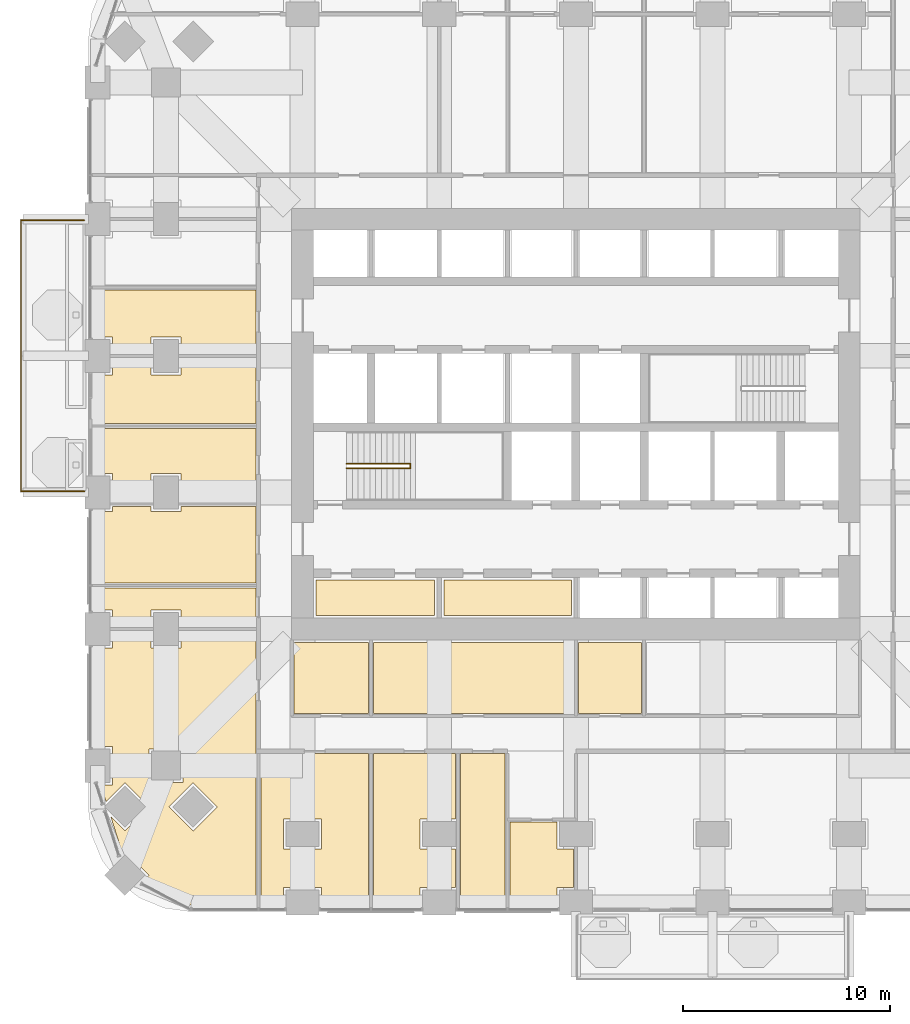
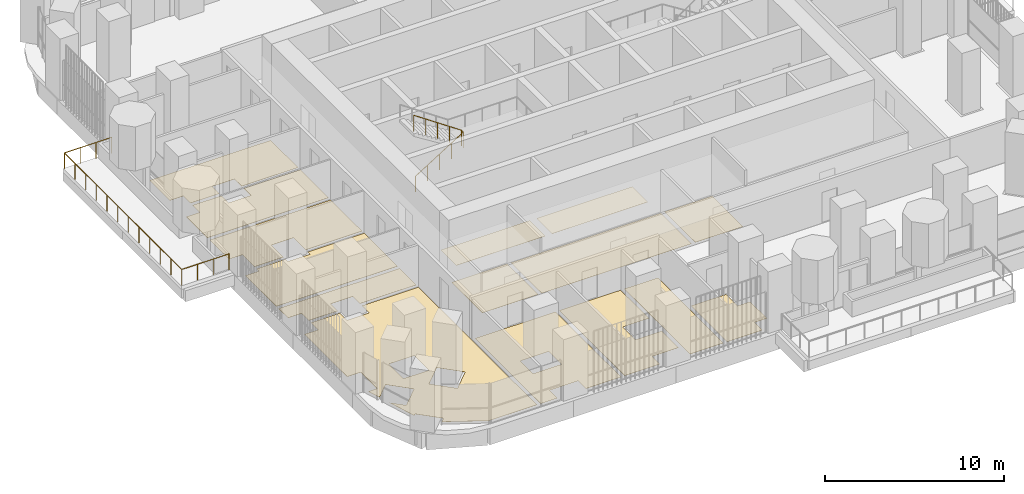
# One storey, part 17 of 21: 15 coverings, 2 railings.
"""IFC4 building model written with IfcOpenShell, lengths in metres."""

from ifc_helpers import new_model, si_unit, direction, frame, origin, place, context, subcontext, project, spatial, polyline, outline, extrude, material, layer, layer_set, type_object, element, save


model = new_model("IFC4")

# Units and contexts
model_context = context("Model", 3, precision=1e-05, world=origin(), true_north=direction((0.0, 1.0)))
body_context = subcontext(model_context, "Body", "Model", "MODEL_VIEW")
ifc_project = project(units=[si_unit("LENGTHUNIT", "METRE"), si_unit("AREAUNIT", "SQUARE_METRE"), si_unit("VOLUMEUNIT", "CUBIC_METRE"), si_unit("PLANEANGLEUNIT", "RADIAN"), si_unit("MASSUNIT", "GRAM", prefix="KILO")], contexts=[model_context])

# Site, building, storey
site_placement = place(None, origin())
site = spatial("IfcSite", under=ifc_project, at=site_placement, CompositionType="ELEMENT")
building_placement = place(site_placement, origin())
building = spatial("IfcBuilding", under=site, at=building_placement, Name="Cobogo Forest Laboratory Tower", CompositionType="ELEMENT")
storey_placement = place(building_placement, frame((0.0, 0.0, 86.39990234375)))
storey = spatial("IfcBuildingStorey", under=building, at=storey_placement, Name="L19", CompositionType="ELEMENT", Elevation=86.39990234375)

# Railing
ifc_material_1 = material(Name="Laminated glass balustrade", Category="glass")
railing_type_1 = type_object("IfcRailingType", Name="BG1 glass balustrade 1100", PredefinedType="GUARDRAIL", material=ifc_material_1)
railing_1_placement = place(storey_placement, frame((2.64990234375, 19.85009765625, 0.0)))
element("IfcRailing", 1, at=railing_1_placement, inside=storey, type_object=railing_type_1, Name="Balcony balustrade BAL-W1 L19", PredefinedType="GUARDRAIL", context=body_context, shape_type="SweptSolid", body=[
    extrude(outline(polyline([(0.022216796875, 0.00927734375), (0.00927734375, 0.022216796875), (-0.00927734375, 0.022216796875), (-0.022216796875, 0.00927734375), (-0.022216796875, -0.00927734375), (-0.00927734375, -0.022216796875), (0.00927734375, -0.022216796875), (0.022216796875, -0.00927734375), (0.022216796875, 0.00927734375)])), frame((0.0, 0.0, 1.077880859375), z_axis=(-1.0, 0.0, 0.0), x_axis=(0.0, -1.0, 0.0)), (0.0, 0.0, 1.0), 3.0498046875),
    extrude(outline(polyline([(0.022216796875, 0.00927734375), (0.00927734375, 0.022216796875), (-0.00927734375, 0.022216796875), (-0.022216796875, 0.00927734375), (-0.022216796875, -0.00927734375), (-0.00927734375, -0.022216796875), (0.00927734375, -0.022216796875), (0.022216796875, -0.00927734375), (0.022216796875, 0.00927734375)])), frame((-3.0498046875, 0.0, 1.077880859375), z_axis=(0.0, 1.0, 0.0), x_axis=(-1.0, 0.0, 0.0)), (0.0, 0.0, 1.0), 13.099853515625),
    extrude(outline(polyline([(0.022216796875, 0.00927734375), (0.00927734375, 0.022216796875), (-0.00927734375, 0.022216796875), (-0.022216796875, 0.00927734375), (-0.022216796875, -0.00927734375), (-0.00927734375, -0.022216796875), (0.00927734375, -0.022216796875), (0.022216796875, -0.00927734375), (0.022216796875, 0.00927734375)])), frame((-3.0498046875, 13.099853515625, 1.077880859375), z_axis=(1.0, 0.0, 0.0), x_axis=(0.0, 1.0, 0.0)), (0.0, 0.0, 1.0), 3.0498046875),
    extrude(outline(polyline([(0.019287109375, 0.008056640625), (0.008056640625, 0.019287109375), (-0.008056640625, 0.019287109375), (-0.019287109375, 0.008056640625), (-0.019287109375, -0.008056640625), (-0.008056640625, -0.019287109375), (0.008056640625, -0.019287109375), (0.019287109375, -0.008056640625), (0.019287109375, 0.008056640625)])), origin(), (0.0, 0.0, 1.0), 1.077880859375),
    extrude(outline(polyline([(0.019287109375, 0.008056640625), (0.008056640625, 0.019287109375), (-0.008056640625, 0.019287109375), (-0.019287109375, 0.008056640625), (-0.019287109375, -0.008056640625), (-0.008056640625, -0.019287109375), (0.008056640625, -0.019287109375), (0.019287109375, -0.008056640625), (0.019287109375, 0.008056640625)])), frame((-1.0166015625, 0.0, 0.0)), (0.0, 0.0, 1.0), 1.077880859375),
    extrude(outline(polyline([(0.019287109375, 0.008056640625), (0.008056640625, 0.019287109375), (-0.008056640625, 0.019287109375), (-0.019287109375, 0.008056640625), (-0.019287109375, -0.008056640625), (-0.008056640625, -0.019287109375), (0.008056640625, -0.019287109375), (0.019287109375, -0.008056640625), (0.019287109375, 0.008056640625)])), frame((-2.033203125, 0.0, 0.0)), (0.0, 0.0, 1.0), 1.077880859375),
    extrude(outline(polyline([(0.019287109375, 0.008056640625), (0.008056640625, 0.019287109375), (-0.008056640625, 0.019287109375), (-0.019287109375, 0.008056640625), (-0.019287109375, -0.008056640625), (-0.008056640625, -0.019287109375), (0.008056640625, -0.019287109375), (0.019287109375, -0.008056640625), (0.019287109375, 0.008056640625)])), frame((-3.0498046875, 0.0, 0.0)), (0.0, 0.0, 1.0), 1.077880859375),
    extrude(outline(polyline([(0.019287109375, 0.008056640625), (0.008056640625, 0.019287109375), (-0.008056640625, 0.019287109375), (-0.019287109375, 0.008056640625), (-0.019287109375, -0.008056640625), (-0.008056640625, -0.019287109375), (0.008056640625, -0.019287109375), (0.019287109375, -0.008056640625), (0.019287109375, 0.008056640625)])), frame((-3.0498046875, 1.19091796875, 0.0)), (0.0, 0.0, 1.0), 1.077880859375),
    extrude(outline(polyline([(0.019287109375, 0.008056640625), (0.008056640625, 0.019287109375), (-0.008056640625, 0.019287109375), (-0.019287109375, 0.008056640625), (-0.019287109375, -0.008056640625), (-0.008056640625, -0.019287109375), (0.008056640625, -0.019287109375), (0.019287109375, -0.008056640625), (0.019287109375, 0.008056640625)])), frame((-3.0498046875, 2.3818359375, 0.0)), (0.0, 0.0, 1.0), 1.077880859375),
    extrude(outline(polyline([(0.019287109375, 0.008056640625), (0.008056640625, 0.019287109375), (-0.008056640625, 0.019287109375), (-0.019287109375, 0.008056640625), (-0.019287109375, -0.008056640625), (-0.008056640625, -0.019287109375), (0.008056640625, -0.019287109375), (0.019287109375, -0.008056640625), (0.019287109375, 0.008056640625)])), frame((-3.0498046875, 3.57275390625, 0.0)), (0.0, 0.0, 1.0), 1.077880859375),
    extrude(outline(polyline([(0.019287109375, 0.008056640625), (0.008056640625, 0.019287109375), (-0.008056640625, 0.019287109375), (-0.019287109375, 0.008056640625), (-0.019287109375, -0.008056640625), (-0.008056640625, -0.019287109375), (0.008056640625, -0.019287109375), (0.019287109375, -0.008056640625), (0.019287109375, 0.008056640625)])), frame((-3.0498046875, 4.763671875, 0.0)), (0.0, 0.0, 1.0), 1.077880859375),
    extrude(outline(polyline([(0.019287109375, 0.008056640625), (0.008056640625, 0.019287109375), (-0.008056640625, 0.019287109375), (-0.019287109375, 0.008056640625), (-0.019287109375, -0.008056640625), (-0.008056640625, -0.019287109375), (0.008056640625, -0.019287109375), (0.019287109375, -0.008056640625), (0.019287109375, 0.008056640625)])), frame((-3.0498046875, 5.95458984375, 0.0)), (0.0, 0.0, 1.0), 1.077880859375),
    extrude(outline(polyline([(0.019287109375, 0.008056640625), (0.008056640625, 0.019287109375), (-0.008056640625, 0.019287109375), (-0.019287109375, 0.008056640625), (-0.019287109375, -0.008056640625), (-0.008056640625, -0.019287109375), (0.008056640625, -0.019287109375), (0.019287109375, -0.008056640625), (0.019287109375, 0.008056640625)])), frame((-3.0498046875, 7.145263671875, 0.0)), (0.0, 0.0, 1.0), 1.077880859375),
    extrude(outline(polyline([(0.019287109375, 0.008056640625), (0.008056640625, 0.019287109375), (-0.008056640625, 0.019287109375), (-0.019287109375, 0.008056640625), (-0.019287109375, -0.008056640625), (-0.008056640625, -0.019287109375), (0.008056640625, -0.019287109375), (0.019287109375, -0.008056640625), (0.019287109375, 0.008056640625)])), frame((-3.0498046875, 8.336181640625, 0.0)), (0.0, 0.0, 1.0), 1.077880859375),
    extrude(outline(polyline([(0.019287109375, 0.008056640625), (0.008056640625, 0.019287109375), (-0.008056640625, 0.019287109375), (-0.019287109375, 0.008056640625), (-0.019287109375, -0.008056640625), (-0.008056640625, -0.019287109375), (0.008056640625, -0.019287109375), (0.019287109375, -0.008056640625), (0.019287109375, 0.008056640625)])), frame((-3.0498046875, 9.527099609375, 0.0)), (0.0, 0.0, 1.0), 1.077880859375),
    extrude(outline(polyline([(0.019287109375, 0.008056640625), (0.008056640625, 0.019287109375), (-0.008056640625, 0.019287109375), (-0.019287109375, 0.008056640625), (-0.019287109375, -0.008056640625), (-0.008056640625, -0.019287109375), (0.008056640625, -0.019287109375), (0.019287109375, -0.008056640625), (0.019287109375, 0.008056640625)])), frame((-3.0498046875, 10.718017578125, 0.0)), (0.0, 0.0, 1.0), 1.077880859375),
    extrude(outline(polyline([(0.019287109375, 0.008056640625), (0.008056640625, 0.019287109375), (-0.008056640625, 0.019287109375), (-0.019287109375, 0.008056640625), (-0.019287109375, -0.008056640625), (-0.008056640625, -0.019287109375), (0.008056640625, -0.019287109375), (0.019287109375, -0.008056640625), (0.019287109375, 0.008056640625)])), frame((-3.0498046875, 11.908935546875, 0.0)), (0.0, 0.0, 1.0), 1.077880859375),
    extrude(outline(polyline([(0.019287109375, 0.008056640625), (0.008056640625, 0.019287109375), (-0.008056640625, 0.019287109375), (-0.019287109375, 0.008056640625), (-0.019287109375, -0.008056640625), (-0.008056640625, -0.019287109375), (0.008056640625, -0.019287109375), (0.019287109375, -0.008056640625), (0.019287109375, 0.008056640625)])), frame((-3.0498046875, 13.099853515625, 0.0)), (0.0, 0.0, 1.0), 1.077880859375),
    extrude(outline(polyline([(0.019287109375, 0.008056640625), (0.008056640625, 0.019287109375), (-0.008056640625, 0.019287109375), (-0.019287109375, 0.008056640625), (-0.019287109375, -0.008056640625), (-0.008056640625, -0.019287109375), (0.008056640625, -0.019287109375), (0.019287109375, -0.008056640625), (0.019287109375, 0.008056640625)])), frame((-2.033203125, 13.099853515625, 0.0)), (0.0, 0.0, 1.0), 1.077880859375),
    extrude(outline(polyline([(0.019287109375, 0.008056640625), (0.008056640625, 0.019287109375), (-0.008056640625, 0.019287109375), (-0.019287109375, 0.008056640625), (-0.019287109375, -0.008056640625), (-0.008056640625, -0.019287109375), (0.008056640625, -0.019287109375), (0.019287109375, -0.008056640625), (0.019287109375, 0.008056640625)])), frame((-1.0166015625, 13.099853515625, 0.0)), (0.0, 0.0, 1.0), 1.077880859375),
    extrude(outline(polyline([(0.019287109375, 0.008056640625), (0.008056640625, 0.019287109375), (-0.008056640625, 0.019287109375), (-0.019287109375, 0.008056640625), (-0.019287109375, -0.008056640625), (-0.008056640625, -0.019287109375), (0.008056640625, -0.019287109375), (0.019287109375, -0.008056640625), (0.019287109375, 0.008056640625)])), frame((0.0, 13.099853515625, 0.0)), (0.0, 0.0, 1.0), 1.077880859375),
])

# Coverings
ifc_material_2 = material(Name="Carpet tile on raised access floor", Category="flooring")
ifc_layer_1 = layer(ifc_material_2, 0.008056640625)
ifc_layer_set_1 = layer_set([ifc_layer_1], Name="CT1 carpet tile floor 8")
covering_type_1 = type_object("IfcCoveringType", Name="CT1 carpet tile floor 8", PredefinedType="FLOORING", material=ifc_layer_set_1)
covering_1_placement = place(storey_placement, origin())
element("IfcCovering", 2, at=covering_1_placement, inside=storey, type_object=covering_type_1, Name="Carpet floor L19-06", PredefinedType="FLOORING", context=body_context, shape_type="SweptSolid", body=[
    extrude(outline(polyline([(18.8798828125, 4.02001953125), (18.8798828125, 2.580078125), (20.580078125, 2.580078125), (20.580078125, 0.719970703125), (18.8798828125, 0.719970703125), (18.8798828125, -0.14990234375), (16.6201171875, -0.14990234375), (16.6201171875, 7.179931640625), (20.580078125, 7.179931640625), (20.580078125, 4.02001953125), (18.8798828125, 4.02001953125)])), origin(), (0.0, 0.0, 1.0), 0.008056640625),
])
covering_2_placement = place(storey_placement, origin())
element("IfcCovering", 3, at=covering_2_placement, inside=storey, type_object=covering_type_1, Name="Carpet floor L19-23", PredefinedType="FLOORING", context=body_context, shape_type="SweptSolid", body=[
    extrude(outline(polyline([(10.955078125, -0.14990234375), (7.84912109375, -0.14990234375), (5.527099609375, 1.0673828125), (5.777587890625, 1.318115234375), (4.617919921875, 2.477783203125), (4.4990234375, 2.358642578125), (3.936767578125, 4.1396484375), (4.617919921875, 3.458251953125), (5.777587890625, 4.617919921875), (4.617919921875, 5.777587890625), (3.70703125, 4.86669921875), (3.4501953125, 5.679931640625), (4.02001953125, 5.679931640625), (4.02001953125, 7.52001953125), (3.14990234375, 7.52001953125), (3.14990234375, 12.280029296875), (4.02001953125, 12.280029296875), (4.02001953125, 13.080078125), (5.8798828125, 13.080078125), (5.8798828125, 12.280029296875), (7.320068359375, 12.280029296875), (7.320068359375, 13.080078125), (10.955078125, 13.080078125), (10.955078125, -0.14990234375)]), holes=[polyline([(6.75830078125, 4.617919921875), (7.91796875, 3.458251953125), (9.07763671875, 4.617919921875), (7.91796875, 5.777587890625), (6.75830078125, 4.617919921875)]), polyline([(5.780029296875, 7.419921875), (5.780029296875, 5.780029296875), (7.419921875, 5.780029296875), (7.419921875, 7.419921875), (5.780029296875, 7.419921875)])]), origin(), (0.0, 0.0, 1.0), 0.008056640625),
])
covering_3_placement = place(storey_placement, origin())
element("IfcCovering", 4, at=covering_3_placement, inside=storey, type_object=covering_type_1, Name="Carpet floor L19-28", PredefinedType="FLOORING", context=body_context, shape_type="SweptSolid", body=[
    extrude(outline(polyline([(10.955078125, 26.52001953125), (7.320068359375, 26.52001953125), (7.320068359375, 27.320068359375), (5.8798828125, 27.320068359375), (5.8798828125, 26.52001953125), (4.02001953125, 26.52001953125), (4.02001953125, 27.320068359375), (3.14990234375, 27.320068359375), (3.14990234375, 29.580078125), (10.955078125, 29.580078125), (10.955078125, 26.52001953125)])), origin(), (0.0, 0.0, 1.0), 0.008056640625),
])
covering_4_placement = place(storey_placement, origin())
element("IfcCovering", 5, at=covering_4_placement, inside=storey, type_object=covering_type_1, Name="Carpet floor L19-38", PredefinedType="FLOORING", context=body_context, shape_type="SweptSolid", body=[
    extrude(outline(polyline([(19.580078125, 13.844970703125), (13.844970703125, 13.844970703125), (13.844970703125, 15.580078125), (19.580078125, 15.580078125), (19.580078125, 13.844970703125)])), origin(), (0.0, 0.0, 1.0), 0.008056640625),
])
covering_5_placement = place(storey_placement, origin())
element("IfcCovering", 6, at=covering_5_placement, inside=storey, type_object=covering_type_1, Name="Carpet floor L19-39", PredefinedType="FLOORING", context=body_context, shape_type="SweptSolid", body=[
    extrude(outline(polyline([(26.179931640625, 13.844970703125), (20.02001953125, 13.844970703125), (20.02001953125, 15.580078125), (26.179931640625, 15.580078125), (26.179931640625, 13.844970703125)])), origin(), (0.0, 0.0, 1.0), 0.008056640625),
])

# Railing
ifc_material_3 = material(Name="Steel balustrade", Category="steel")
railing_type_2 = type_object("IfcRailingType", Name="GR stair guard 1100", PredefinedType="GUARDRAIL", material=ifc_material_3)
railing_2_placement = place(storey_placement, frame((15.324951171875, 20.969970703125, 0.175048828125)))
element("IfcRailing", 7, at=railing_2_placement, inside=storey, type_object=railing_type_2, Name="Stair guard ST1 L19", PredefinedType="GUARDRAIL", context=body_context, shape_type="SweptSolid", body=[
    extrude(outline(polyline([(0.022216796875, 0.00927734375), (0.00927734375, 0.022216796875), (-0.00927734375, 0.022216796875), (-0.022216796875, 0.00927734375), (-0.022216796875, -0.00927734375), (-0.00927734375, -0.022216796875), (0.00927734375, -0.022216796875), (0.022216796875, -0.00927734375), (0.022216796875, 0.00927734375)])), frame((0.0, 0.0, 1.077880859375), z_axis=(0.847998304005, 0.0, 0.529998940003), x_axis=(0.0, 1.0, 0.0)), (0.0, 0.0, 1.0), 3.632080078125),
    extrude(outline(polyline([(0.022216796875, 0.00927734375), (0.00927734375, 0.022216796875), (-0.00927734375, 0.022216796875), (-0.022216796875, 0.00927734375), (-0.022216796875, -0.00927734375), (-0.00927734375, -0.022216796875), (0.00927734375, -0.022216796875), (0.022216796875, -0.00927734375), (0.022216796875, 0.00927734375)])), frame((3.080078125, 0.0, 3.0029296875), z_axis=(0.0, 1.0, 0.0), x_axis=(-1.0, 0.0, 0.0)), (0.0, 0.0, 1.0), 0.2099609375),
    extrude(outline(polyline([(0.022216796875, 0.00927734375), (0.00927734375, 0.022216796875), (-0.00927734375, 0.022216796875), (-0.022216796875, 0.00927734375), (-0.022216796875, -0.00927734375), (-0.00927734375, -0.022216796875), (0.00927734375, -0.022216796875), (0.022216796875, -0.00927734375), (0.022216796875, 0.00927734375)])), frame((3.080078125, 0.2099609375, 3.0029296875), z_axis=(-0.826221800596, 0.0, 0.563344953133), x_axis=(0.0, -1.0, 0.0)), (0.0, 0.0, 1.0), 3.72802734375),
    extrude(outline(polyline([(0.019287109375, 0.008056640625), (0.008056640625, 0.019287109375), (-0.008056640625, 0.019287109375), (-0.019287109375, 0.008056640625), (-0.019287109375, -0.008056640625), (-0.008056640625, -0.019287109375), (0.008056640625, -0.019287109375), (0.019287109375, -0.008056640625), (0.019287109375, 0.008056640625)])), origin(), (0.0, 0.0, 1.0), 1.077880859375),
    extrude(outline(polyline([(0.019287109375, 0.008056640625), (0.008056640625, 0.019287109375), (-0.008056640625, 0.019287109375), (-0.019287109375, 0.008056640625), (-0.019287109375, -0.008056640625), (-0.008056640625, -0.019287109375), (0.008056640625, -0.019287109375), (0.019287109375, -0.008056640625), (0.019287109375, 0.008056640625)])), frame((0.77001953125, 0.0, 0.481201171875)), (0.0, 0.0, 1.0), 1.077880859375),
    extrude(outline(polyline([(0.019287109375, 0.008056640625), (0.008056640625, 0.019287109375), (-0.008056640625, 0.019287109375), (-0.019287109375, 0.008056640625), (-0.019287109375, -0.008056640625), (-0.008056640625, -0.019287109375), (0.008056640625, -0.019287109375), (0.019287109375, -0.008056640625), (0.019287109375, 0.008056640625)])), frame((1.5400390625, 0.0, 0.96240234375)), (0.0, 0.0, 1.0), 1.077880859375),
    extrude(outline(polyline([(0.019287109375, 0.008056640625), (0.008056640625, 0.019287109375), (-0.008056640625, 0.019287109375), (-0.019287109375, 0.008056640625), (-0.019287109375, -0.008056640625), (-0.008056640625, -0.019287109375), (0.008056640625, -0.019287109375), (0.019287109375, -0.008056640625), (0.019287109375, 0.008056640625)])), frame((2.31005859375, 0.0, 1.44384765625)), (0.0, 0.0, 1.0), 1.077880859375),
    extrude(outline(polyline([(0.019287109375, 0.008056640625), (0.008056640625, 0.019287109375), (-0.008056640625, 0.019287109375), (-0.019287109375, 0.008056640625), (-0.019287109375, -0.008056640625), (-0.008056640625, -0.019287109375), (0.008056640625, -0.019287109375), (0.019287109375, -0.008056640625), (0.019287109375, 0.008056640625)])), frame((3.080078125, 0.0, 1.925048828125)), (0.0, 0.0, 1.0), 1.077880859375),
    extrude(outline(polyline([(0.019287109375, 0.008056640625), (0.008056640625, 0.019287109375), (-0.008056640625, 0.019287109375), (-0.019287109375, 0.008056640625), (-0.019287109375, -0.008056640625), (-0.008056640625, -0.019287109375), (0.008056640625, -0.019287109375), (0.019287109375, -0.008056640625), (0.019287109375, 0.008056640625)])), frame((3.080078125, 0.2099609375, 1.925048828125)), (0.0, 0.0, 1.0), 1.077880859375),
    extrude(outline(polyline([(0.019287109375, 0.008056640625), (0.008056640625, 0.019287109375), (-0.008056640625, 0.019287109375), (-0.019287109375, 0.008056640625), (-0.019287109375, -0.008056640625), (-0.008056640625, -0.019287109375), (0.008056640625, -0.019287109375), (0.019287109375, -0.008056640625), (0.019287109375, 0.008056640625)])), frame((2.31005859375, 0.2099609375, 2.4501953125)), (0.0, 0.0, 1.0), 1.077880859375),
    extrude(outline(polyline([(0.019287109375, 0.008056640625), (0.008056640625, 0.019287109375), (-0.008056640625, 0.019287109375), (-0.019287109375, 0.008056640625), (-0.019287109375, -0.008056640625), (-0.008056640625, -0.019287109375), (0.008056640625, -0.019287109375), (0.019287109375, -0.008056640625), (0.019287109375, 0.008056640625)])), frame((1.5400390625, 0.2099609375, 2.97509765625)), (0.0, 0.0, 1.0), 1.077880859375),
    extrude(outline(polyline([(0.019287109375, 0.008056640625), (0.008056640625, 0.019287109375), (-0.008056640625, 0.019287109375), (-0.019287109375, 0.008056640625), (-0.019287109375, -0.008056640625), (-0.008056640625, -0.019287109375), (0.008056640625, -0.019287109375), (0.019287109375, -0.008056640625), (0.019287109375, 0.008056640625)])), frame((0.77001953125, 0.2099609375, 3.5)), (0.0, 0.0, 1.0), 1.077880859375),
    extrude(outline(polyline([(0.019287109375, 0.008056640625), (0.008056640625, 0.019287109375), (-0.008056640625, 0.019287109375), (-0.019287109375, 0.008056640625), (-0.019287109375, -0.008056640625), (-0.008056640625, -0.019287109375), (0.008056640625, -0.019287109375), (0.019287109375, -0.008056640625), (0.019287109375, 0.008056640625)])), frame((0.0, 0.2099609375, 4.025146484375)), (0.0, 0.0, 1.0), 1.077880859375),
])

# Coverings
ifc_material_4 = material(Name="Epoxy resin flooring", Category="flooring")
ifc_layer_2 = layer(ifc_material_4, 0.00390625)
ifc_layer_set_2 = layer_set([ifc_layer_2], Name="LF1 epoxy laboratory floor 4")
covering_type_2 = type_object("IfcCoveringType", Name="LF1 epoxy laboratory floor 4", PredefinedType="FLOORING", material=ifc_layer_set_2)
covering_6_placement = place(storey_placement, origin())
element("IfcCovering", 8, at=covering_6_placement, inside=storey, type_object=covering_type_2, Name="Epoxy laboratory floor L19-02", PredefinedType="FLOORING", context=body_context, shape_type="SweptSolid", body=[
    extrude(outline(polyline([(26.280029296875, 9.1201171875), (16.6201171875, 9.1201171875), (16.6201171875, 12.554931640625), (26.280029296875, 12.554931640625), (26.280029296875, 9.1201171875)])), origin(), (0.0, 0.0, 1.0), 0.004150390625),
])
covering_7_placement = place(storey_placement, origin())
element("IfcCovering", 9, at=covering_7_placement, inside=storey, type_object=covering_type_2, Name="Epoxy laboratory floor L19-05", PredefinedType="FLOORING", context=body_context, shape_type="SweptSolid", body=[
    extrude(outline(polyline([(16.3798828125, 7.179931640625), (16.3798828125, -0.14990234375), (14.1201171875, -0.14990234375), (14.1201171875, 0.719970703125), (12.280029296875, 0.719970703125), (12.280029296875, -0.14990234375), (11.195068359375, -0.14990234375), (11.195068359375, 7.179931640625), (16.3798828125, 7.179931640625)]), holes=[polyline([(12.280029296875, 4.02001953125), (12.280029296875, 2.580078125), (14.1201171875, 2.580078125), (14.1201171875, 4.02001953125), (12.280029296875, 4.02001953125)])]), origin(), (0.0, 0.0, 1.0), 0.004150390625),
])
ifc_material_5 = material(Name="Ceramic floor tile", Category="flooring")
ifc_layer_3 = layer(ifc_material_5, 0.010009765625)
ifc_layer_set_3 = layer_set([ifc_layer_3], Name="TF1 ceramic tile floor 10")
covering_type_3 = type_object("IfcCoveringType", Name="TF1 ceramic tile floor 10", PredefinedType="FLOORING", material=ifc_layer_set_3)
covering_8_placement = place(storey_placement, origin())
element("IfcCovering", 10, at=covering_8_placement, inside=storey, type_object=covering_type_3, Name="Tile floor L19-01", PredefinedType="FLOORING", context=body_context, shape_type="SweptSolid", body=[
    extrude(outline(polyline([(16.3798828125, 9.1201171875), (12.794921875, 9.1201171875), (12.794921875, 12.554931640625), (16.3798828125, 12.554931640625), (16.3798828125, 9.1201171875)])), origin(), (0.0, 0.0, 1.0), 0.010009765625),
])
covering_9_placement = place(storey_placement, origin())
element("IfcCovering", 11, at=covering_9_placement, inside=storey, type_object=covering_type_3, Name="Tile floor L19-03", PredefinedType="FLOORING", context=body_context, shape_type="SweptSolid", body=[
    extrude(outline(polyline([(29.580078125, 9.1201171875), (26.52001953125, 9.1201171875), (26.52001953125, 12.554931640625), (29.580078125, 12.554931640625), (29.580078125, 9.1201171875)])), origin(), (0.0, 0.0, 1.0), 0.010009765625),
])
covering_10_placement = place(storey_placement, origin())
element("IfcCovering", 12, at=covering_10_placement, inside=storey, type_object=covering_type_3, Name="Tile floor L19-07", PredefinedType="FLOORING", context=body_context, shape_type="SweptSolid", body=[
    extrude(outline(polyline([(20.820068359375, 7.179931640625), (22.97998046875, 7.179931640625), (22.97998046875, -0.14990234375), (20.820068359375, -0.14990234375), (20.820068359375, 7.179931640625)])), origin(), (0.0, 0.0, 1.0), 0.010009765625),
])
covering_11_placement = place(storey_placement, origin())
element("IfcCovering", 13, at=covering_11_placement, inside=storey, type_object=covering_type_3, Name="Tile floor L19-08", PredefinedType="FLOORING", context=body_context, shape_type="SweptSolid", body=[
    extrude(outline(polyline([(25.47998046875, 3.8798828125), (25.47998046875, 2.580078125), (26.280029296875, 2.580078125), (26.280029296875, 0.719970703125), (25.47998046875, 0.719970703125), (25.47998046875, -0.14990234375), (23.219970703125, -0.14990234375), (23.219970703125, 3.8798828125), (25.47998046875, 3.8798828125)])), origin(), (0.0, 0.0, 1.0), 0.010009765625),
])
covering_12_placement = place(storey_placement, origin())
element("IfcCovering", 14, at=covering_12_placement, inside=storey, type_object=covering_type_3, Name="Tile floor L19-24", PredefinedType="FLOORING", context=body_context, shape_type="SweptSolid", body=[
    extrude(outline(polyline([(10.955078125, 13.320068359375), (7.320068359375, 13.320068359375), (7.320068359375, 14.1201171875), (5.8798828125, 14.1201171875), (5.8798828125, 13.320068359375), (4.02001953125, 13.320068359375), (4.02001953125, 14.1201171875), (3.14990234375, 14.1201171875), (3.14990234375, 15.179931640625), (10.955078125, 15.179931640625), (10.955078125, 13.320068359375)])), origin(), (0.0, 0.0, 1.0), 0.010009765625),
])
covering_13_placement = place(storey_placement, origin())
element("IfcCovering", 15, at=covering_13_placement, inside=storey, type_object=covering_type_3, Name="Tile floor L19-25", PredefinedType="FLOORING", context=body_context, shape_type="SweptSolid", body=[
    extrude(outline(polyline([(10.955078125, 15.419921875), (3.14990234375, 15.419921875), (3.14990234375, 18.8798828125), (4.02001953125, 18.8798828125), (4.02001953125, 19.1298828125), (5.8798828125, 19.1298828125), (5.8798828125, 18.8798828125), (7.320068359375, 18.8798828125), (7.320068359375, 19.1298828125), (10.955078125, 19.1298828125), (10.955078125, 15.419921875)])), origin(), (0.0, 0.0, 1.0), 0.010009765625),
])
covering_14_placement = place(storey_placement, origin())
element("IfcCovering", 16, at=covering_14_placement, inside=storey, type_object=covering_type_3, Name="Tile floor L19-26", PredefinedType="FLOORING", context=body_context, shape_type="SweptSolid", body=[
    extrude(outline(polyline([(10.955078125, 19.3701171875), (7.320068359375, 19.3701171875), (7.320068359375, 20.719970703125), (5.8798828125, 20.719970703125), (5.8798828125, 19.3701171875), (4.02001953125, 19.3701171875), (4.02001953125, 20.719970703125), (3.14990234375, 20.719970703125), (3.14990234375, 22.8798828125), (10.955078125, 22.8798828125), (10.955078125, 19.3701171875)])), origin(), (0.0, 0.0, 1.0), 0.010009765625),
])
covering_15_placement = place(storey_placement, origin())
element("IfcCovering", 17, at=covering_15_placement, inside=storey, type_object=covering_type_3, Name="Tile floor L19-27", PredefinedType="FLOORING", context=body_context, shape_type="SweptSolid", body=[
    extrude(outline(polyline([(10.955078125, 23.1201171875), (3.14990234375, 23.1201171875), (3.14990234375, 25.47998046875), (4.02001953125, 25.47998046875), (4.02001953125, 26.280029296875), (5.8798828125, 26.280029296875), (5.8798828125, 25.47998046875), (7.320068359375, 25.47998046875), (7.320068359375, 26.280029296875), (10.955078125, 26.280029296875), (10.955078125, 23.1201171875)])), origin(), (0.0, 0.0, 1.0), 0.010009765625),
])

save(model, "model.ifc")
